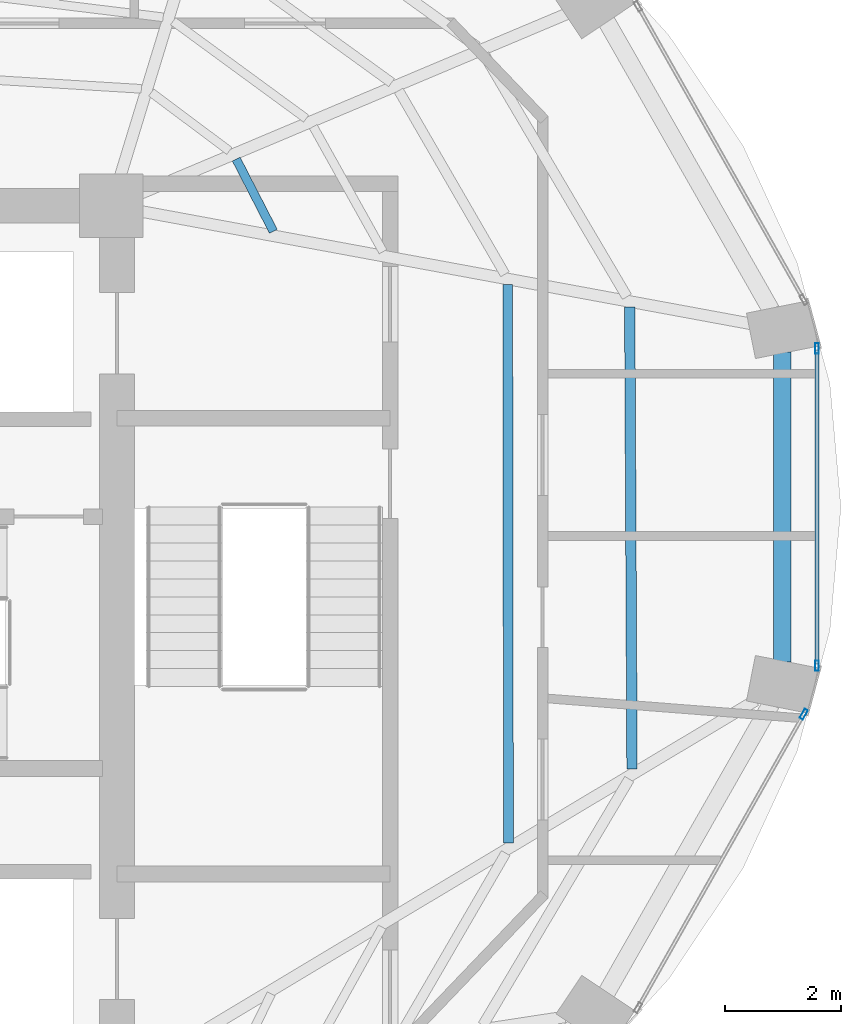
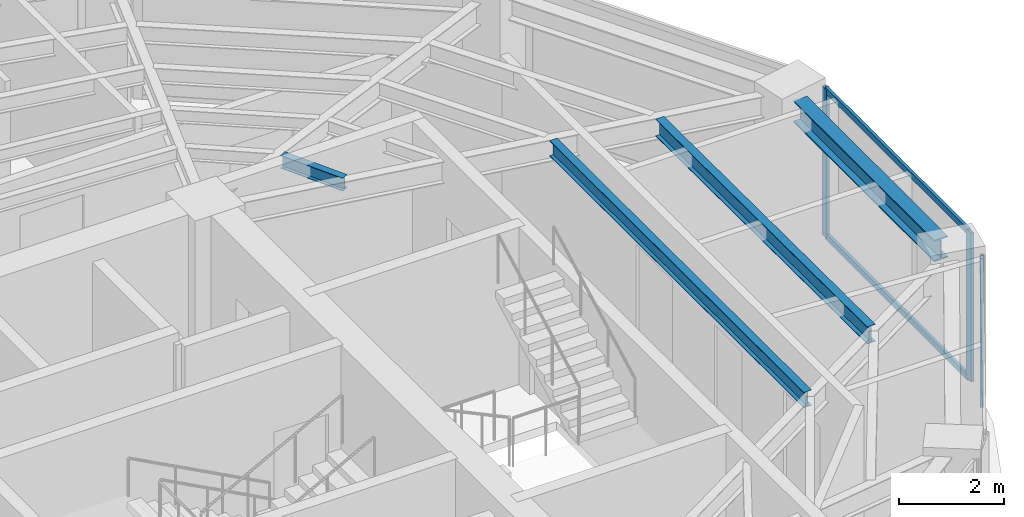
# One storey, part 14 of 23: 5 members, 4 beams, 2 elements without a shape of their own.
"""IFC4 building model written with IfcOpenShell, lengths in metres."""

from ifc_helpers import new_model, si_unit, direction, frame, origin, origin_2d, place, context, subcontext, project, spatial, hollow_rectangle, i_section, extrude, material, layer, layer_set, material_profile, profile_set, type_object, element, aggregate, save


model = new_model("IFC4")

# Units and contexts
model_context = context("Model", 3, precision=1e-05, world=origin(), true_north=direction((0.0, 1.0)))
body_context = subcontext(model_context, "Body", "Model", "MODEL_VIEW")
ifc_project = project(units=[si_unit("LENGTHUNIT", "METRE"), si_unit("AREAUNIT", "SQUARE_METRE"), si_unit("VOLUMEUNIT", "CUBIC_METRE"), si_unit("PLANEANGLEUNIT", "RADIAN"), si_unit("MASSUNIT", "GRAM", prefix="KILO")], contexts=[model_context])

# Site, building, storey
site_placement = place(None, origin())
site = spatial("IfcSite", under=ifc_project, at=site_placement, CompositionType="ELEMENT")
building_placement = place(site_placement, origin())
building = spatial("IfcBuilding", under=site, at=building_placement, Name="Lazwardi Medical Tower", CompositionType="ELEMENT")
storey_placement = place(building_placement, frame((0.0, 0.0, 202.1279296875)))
storey = spatial("IfcBuildingStorey", under=building, at=storey_placement, Name="L52", CompositionType="ELEMENT", Elevation=202.1279296875)

# Beams
ifc_material_1 = material(Name="Steel S355", Category="steel")
ifc_material_profile_1 = material_profile(ifc_material_1, i_section(OverallWidth=0.300048828125, OverallDepth=0.5, WebThickness=0.014404296875, FlangeThickness=0.028076171875, at=origin_2d()), Name="HEB 500")
ifc_profile_set_1 = profile_set([ifc_material_profile_1], Name="Steel S355")
beam_type_1 = type_object("IfcBeamType", Name="BM-RB-Z4", PredefinedType="BEAM", material=ifc_profile_set_1)
beam_1_placement = place(storey_placement, frame((57.18505859375, 27.72705078125, 3.197998046875), z_axis=(0.0, 1.0, 0.0), x_axis=(-1.0, 0.0, 0.0)))
element("IfcBeam", 1, at=beam_1_placement, inside=storey, type_object=beam_type_1, Name="Ring beam RB-05 B04 L52", PredefinedType="BEAM", context=body_context, shape_type="SweptSolid", body=[
    extrude(i_section(OverallWidth=0.300048828125, OverallDepth=0.5, WebThickness=0.014404296875, FlangeThickness=0.028076171875, at=origin_2d()), origin(), (0.0, 0.0, 1.0), 5.345947265625),
])
ifc_material_profile_2 = material_profile(ifc_material_1, i_section(OverallWidth=0.179931640625, OverallDepth=0.39990234375, WebThickness=0.008544921875, FlangeThickness=0.013427734375, at=origin_2d()), Name="IPE 400")
ifc_profile_set_2 = profile_set([ifc_material_profile_2], Name="Steel S355")
beam_type_2 = type_object("IfcBeamType", Name="BM-SJ-01", PredefinedType="JOIST", material=ifc_profile_set_2)
beam_2_placement = place(storey_placement, frame((54.592041015625, 25.879638671875, 3.248046875), z_axis=(-0.004929366644, 0.999987850598, 0.0), x_axis=(-0.999987850598, -0.004929366644, 0.0)))
element("IfcBeam", 2, at=beam_2_placement, inside=storey, type_object=beam_type_2, Name="Secondary joist SJ-01 R1 B04 L52", PredefinedType="JOIST", context=body_context, shape_type="SweptSolid", body=[
    extrude(i_section(OverallWidth=0.179931640625, OverallDepth=0.39990234375, WebThickness=0.008544921875, FlangeThickness=0.013427734375, at=origin_2d()), origin(), (0.0, 0.0, 1.0), 7.973876953125),
])
ifc_material_profile_3 = material_profile(ifc_material_1, i_section(OverallWidth=0.169921875, OverallDepth=0.360107421875, WebThickness=0.008056640625, FlangeThickness=0.0126953125, at=origin_2d()), Name="IPE 360")
ifc_profile_set_3 = profile_set([ifc_material_profile_3], Name="Steel S355")
beam_type_3 = type_object("IfcBeamType", Name="BM-SJ-02", PredefinedType="JOIST", material=ifc_profile_set_3)
beam_3_placement = place(storey_placement, frame((52.458984375, 24.602294921875, 3.26806640625), z_axis=(-0.001367606673, 0.999999064826, 0.0), x_axis=(-0.999999064826, -0.001367606673, 0.0)))
element("IfcBeam", 3, at=beam_3_placement, inside=storey, type_object=beam_type_3, Name="Secondary joist SJ-02 R2 B04 L52", PredefinedType="JOIST", context=body_context, shape_type="SweptSolid", body=[
    extrude(i_section(OverallWidth=0.169921875, OverallDepth=0.360107421875, WebThickness=0.008056640625, FlangeThickness=0.0126953125, at=origin_2d()), origin(), (0.0, 0.0, 1.0), 9.639892578125),
])
ifc_material_profile_4 = material_profile(ifc_material_1, i_section(OverallWidth=0.14990234375, OverallDepth=0.300048828125, WebThickness=0.007080078125, FlangeThickness=0.0107421875, at=origin_2d()), Name="IPE 300")
ifc_profile_set_4 = profile_set([ifc_material_profile_4], Name="Steel S355")
beam_type_4 = type_object("IfcBeamType", Name="BM-SJ-03", PredefinedType="JOIST", material=ifc_profile_set_4)
beam_4_placement = place(storey_placement, frame((48.39990234375, 35.159912109375, 3.298095703125), z_axis=(-0.457285056668, 0.889320176848, 0.0), x_axis=(-0.889320176848, -0.457285056668, 0.0)))
element("IfcBeam", 4, at=beam_4_placement, inside=storey, type_object=beam_type_4, Name="Secondary joist SJ-03 R4 B05 L52", PredefinedType="JOIST", context=body_context, shape_type="SweptSolid", body=[
    extrude(i_section(OverallWidth=0.14990234375, OverallDepth=0.300048828125, WebThickness=0.007080078125, FlangeThickness=0.0107421875, at=origin_2d()), origin(), (0.0, 0.0, 1.0), 1.402099609375),
])

# Curtain wall, member
ifc_material_2 = material(Name="Anodised bronze aluminium and solar control glazing", Category="aluminium")
ifc_layer = layer(ifc_material_2, 0.18994140625)
ifc_layer_set = layer_set([ifc_layer], Name="Anodised bronze aluminium and solar control glazing")
curtain_wall_type = type_object("IfcCurtainWallType", Name="CW-SYS-04", PredefinedType="NOTDEFINED", material=ifc_layer_set)
curtain_wall_1_placement = place(storey_placement, origin())
curtain_wall_1 = element("IfcCurtainWall", 5, at=curtain_wall_1_placement, inside=storey, type_object=curtain_wall_type, Name="L52 Unitised bronze curtain wall CW-04", PredefinedType="NOTDEFINED")
ifc_material_3 = material(Name="Anodised bronze aluminium", Category="aluminium")
ifc_material_profile_5 = material_profile(ifc_material_3, hollow_rectangle(XDim=0.06494140625, YDim=0.179931640625, WallThickness=0.00390625, at=origin_2d()), Name="ALU-MULLION 180x65x4")
ifc_profile_set_5 = profile_set([ifc_material_profile_5], Name="Anodised bronze aluminium")
member_type_1 = type_object("IfcMemberType", Name="CW-MUL-03", PredefinedType="MULLION", material=ifc_profile_set_5)
member_1_placement = place(storey_placement, frame((57.557373046875, 26.82177734375, 0.0), z_axis=(0.0, 0.0, 1.0), x_axis=(-0.870651436011, 0.491900474661, 0.0)))
member_1 = element("IfcMember", 6, at=member_1_placement, type_object=member_type_1, Name="CW-04 mullion 2", PredefinedType="MULLION", context=body_context, shape_type="SweptSolid", body=[
    extrude(hollow_rectangle(XDim=0.06494140625, YDim=0.179931640625, WallThickness=0.00390625, at=origin_2d()), origin(), (0.0, 0.0, 1.0), 3.447998046875),
])
aggregate(curtain_wall_1, [member_1])

# Curtain wall, members
curtain_wall_2_placement = place(storey_placement, origin())
curtain_wall_2 = element("IfcCurtainWall", 7, at=curtain_wall_2_placement, inside=storey, type_object=curtain_wall_type, Name="L52 Unitised bronze curtain wall CW-04", PredefinedType="NOTDEFINED")
member_2_placement = place(storey_placement, frame((57.7841796875, 27.659423828125, 0.0), z_axis=(0.0, 0.0, 1.0), x_axis=(-1.0, 0.0, 0.0)))
member_2 = element("IfcMember", 8, at=member_2_placement, type_object=member_type_1, Name="CW-04 mullion 1", PredefinedType="MULLION", context=body_context, shape_type="SweptSolid", body=[
    extrude(hollow_rectangle(XDim=0.06494140625, YDim=0.179931640625, WallThickness=0.00390625, at=origin_2d()), origin(), (0.0, 0.0, 1.0), 3.447998046875),
])
member_3_placement = place(storey_placement, frame((57.7841796875, 33.140380859375, 0.0), z_axis=(0.0, 0.0, 1.0), x_axis=(-1.0, 0.0, 0.0)))
member_3 = element("IfcMember", 9, at=member_3_placement, type_object=member_type_1, Name="CW-04 mullion 2", PredefinedType="MULLION", context=body_context, shape_type="SweptSolid", body=[
    extrude(hollow_rectangle(XDim=0.06494140625, YDim=0.179931640625, WallThickness=0.00390625, at=origin_2d()), origin(), (0.0, 0.0, 1.0), 3.447998046875),
])
ifc_material_profile_6 = material_profile(ifc_material_3, hollow_rectangle(XDim=0.06494140625, YDim=0.139892578125, WallThickness=0.00341796875, at=origin_2d()), Name="ALU-TRANSOM 140x65x3.5")
ifc_profile_set_6 = profile_set([ifc_material_profile_6], Name="Anodised bronze aluminium")
member_type_2 = type_object("IfcMemberType", Name="CW-TRN-03", PredefinedType="USERDEFINED", material=ifc_profile_set_6)
member_4_placement = place(storey_placement, frame((57.7841796875, 27.69189453125, 0.032470703125), z_axis=(0.0, 1.0, 0.0), x_axis=(-1.0, 0.0, 0.0)))
member_4 = element("IfcMember", 10, at=member_4_placement, type_object=member_type_2, Name="CW-04 transom 1.1", ObjectType="TRANSOM", PredefinedType="USERDEFINED", context=body_context, shape_type="SweptSolid", body=[
    extrude(hollow_rectangle(XDim=0.06494140625, YDim=0.139892578125, WallThickness=0.00341796875, at=origin_2d()), origin(), (0.0, 0.0, 1.0), 5.416015625),
])
member_5_placement = place(storey_placement, frame((57.7841796875, 27.69189453125, 3.41552734375), z_axis=(0.0, 1.0, 0.0), x_axis=(-1.0, 0.0, 0.0)))
member_5 = element("IfcMember", 11, at=member_5_placement, type_object=member_type_2, Name="CW-04 transom 1.2", ObjectType="TRANSOM", PredefinedType="USERDEFINED", context=body_context, shape_type="SweptSolid", body=[
    extrude(hollow_rectangle(XDim=0.06494140625, YDim=0.139892578125, WallThickness=0.00341796875, at=origin_2d()), origin(), (0.0, 0.0, 1.0), 5.416015625),
])
aggregate(curtain_wall_2, [member_2, member_3, member_4, member_5])

save(model, "model.ifc")
